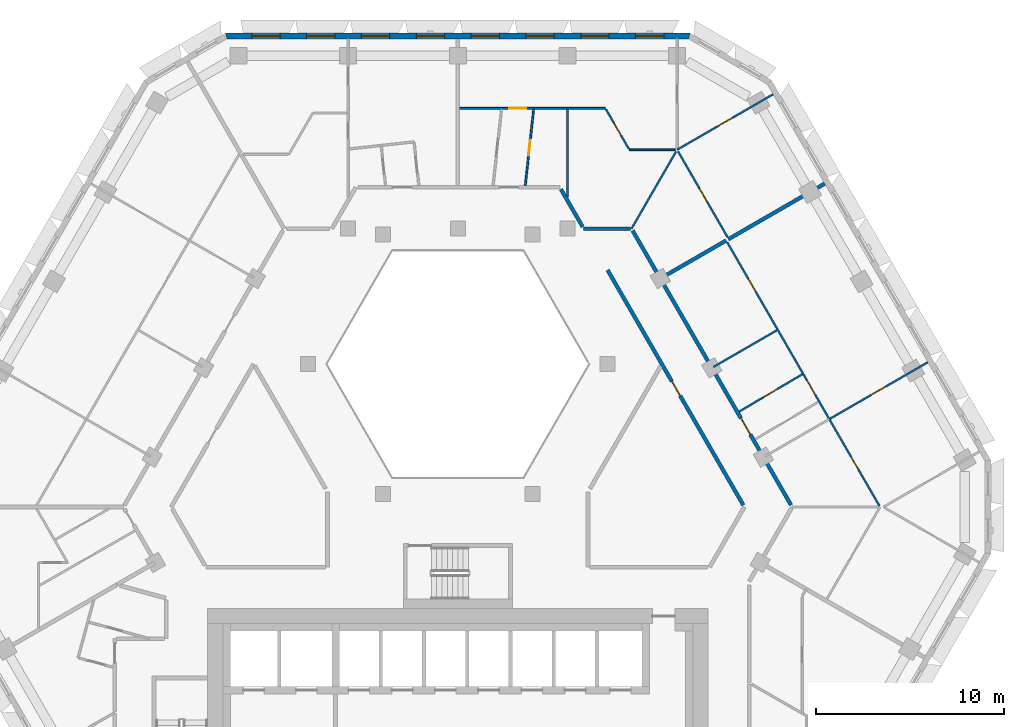
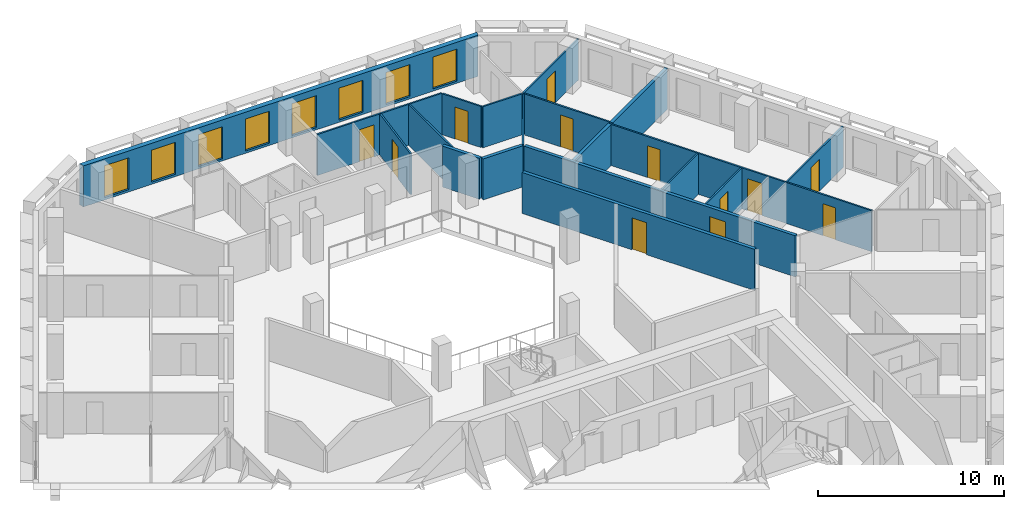
# One storey, part 9 of 18: 19 walls, 12 doors, 8 windows, 20 openings.
"""IFC4 building model written with IfcOpenShell, lengths in metres."""

from ifc_helpers import new_model, si_unit, direction, frame, frame_2d, origin, place, context, subcontext, project, spatial, polyline, rectangle, outline, extrude, material, layer, layer_set, type_object, element, fill, save


model = new_model("IFC4")

# Units and contexts
model_context = context("Model", 3, precision=1e-05, world=origin(), true_north=direction((0.0, 1.0)))
body_context = subcontext(model_context, "Body", "Model", "MODEL_VIEW")
ifc_project = project(units=[si_unit("LENGTHUNIT", "METRE"), si_unit("AREAUNIT", "SQUARE_METRE"), si_unit("VOLUMEUNIT", "CUBIC_METRE"), si_unit("PLANEANGLEUNIT", "RADIAN"), si_unit("MASSUNIT", "GRAM", prefix="KILO")], contexts=[model_context])

# Site, building, storey
site_placement = place(None, origin())
site = spatial("IfcSite", under=ifc_project, at=site_placement, CompositionType="ELEMENT")
building_placement = place(site_placement, origin())
building = spatial("IfcBuilding", under=site, at=building_placement, Name="Beryl Residences", CompositionType="ELEMENT")
storey_placement = place(building_placement, frame((0.0, 0.0, 138.60009765625)))
storey = spatial("IfcBuildingStorey", under=building, at=storey_placement, Name="L42", CompositionType="ELEMENT", Elevation=138.60009765625)

# Wall, openings, windows
ifc_material_1 = material(Name="Composite metal panel with mineral wool insulation")
ifc_layer_1 = layer(ifc_material_1, 0.300048828125)
ifc_layer_set_1 = layer_set([ifc_layer_1], Name="ES1 pale metal composite panel wall 300 mm")
wall_type_1 = type_object("IfcWallType", Name="ES1 pale metal composite panel wall 300 mm", PredefinedType="SOLIDWALL", material=ifc_layer_set_1)
wall_1_placement = place(storey_placement, frame((12.35498046875, 25.449951171875, 0.0), z_axis=(0.0, 0.0, 1.0), x_axis=(-1.0, 0.0, 0.0)))
wall_1 = element("IfcWall", 1, at=wall_1_placement, inside=storey, type_object=wall_type_1, Name="ES1 external wall L42 N", PredefinedType="SOLIDWALL", context=body_context, shape_type="SweptSolid", body=[
    extrude(outline(polyline([(0.0, -0.14990234375), (24.7099609375, -0.14990234375), (24.629638671875, 0.14990234375), (0.080322265625, 0.14990234375), (0.0, -0.14990234375)])), origin(), (0.0, 0.0, 1.0), 2.699951171875),
])
opening_1_placement = place(wall_1_placement, frame((1.40087890625, 0.0, 0.14990234375)))
opening_1 = element("IfcOpeningElement", 2, at=opening_1_placement, cuts=wall_1, Name="Opening W1", PredefinedType="OPENING", context=body_context, shape_type="SweptSolid", body=[
    extrude(rectangle(XDim=1.5, YDim=2.10009765625, at=frame_2d((0.75, 1.050048828125))), frame((0.0, 0.159912109375, 0.0), z_axis=(0.0, -1.0, 0.0), x_axis=(1.0, 0.0, 0.0)), (0.0, 0.0, 1.0), 0.320068359375),
])
opening_2_placement = place(wall_1_placement, frame((4.31591796875, 0.0, 0.14990234375)))
opening_2 = element("IfcOpeningElement", 3, at=opening_2_placement, cuts=wall_1, Name="Opening W1", PredefinedType="OPENING", context=body_context, shape_type="SweptSolid", body=[
    extrude(rectangle(XDim=1.5, YDim=2.10009765625, at=frame_2d((0.75, 1.050048828125))), frame((0.0, 0.159912109375, 0.0), z_axis=(0.0, -1.0, 0.0), x_axis=(1.0, 0.0, 0.0)), (0.0, 0.0, 1.0), 0.320068359375),
])
opening_3_placement = place(wall_1_placement, frame((7.23193359375, 0.0, 0.14990234375)))
opening_3 = element("IfcOpeningElement", 4, at=opening_3_placement, cuts=wall_1, Name="Opening W1", PredefinedType="OPENING", context=body_context, shape_type="SweptSolid", body=[
    extrude(rectangle(XDim=1.5, YDim=2.10009765625, at=frame_2d((0.75, 1.050048828125))), frame((0.0, 0.159912109375, 0.0), z_axis=(0.0, -1.0, 0.0), x_axis=(1.0, 0.0, 0.0)), (0.0, 0.0, 1.0), 0.320068359375),
])
opening_4_placement = place(wall_1_placement, frame((10.14697265625, 0.0, 0.14990234375)))
opening_4 = element("IfcOpeningElement", 5, at=opening_4_placement, cuts=wall_1, Name="Opening W1", PredefinedType="OPENING", context=body_context, shape_type="SweptSolid", body=[
    extrude(rectangle(XDim=1.5, YDim=2.10009765625, at=frame_2d((0.75, 1.050048828125))), frame((0.0, 0.159912109375, 0.0), z_axis=(0.0, -1.0, 0.0), x_axis=(1.0, 0.0, 0.0)), (0.0, 0.0, 1.0), 0.320068359375),
])
opening_5_placement = place(wall_1_placement, frame((13.06298828125, 0.0, 0.14990234375)))
opening_5 = element("IfcOpeningElement", 6, at=opening_5_placement, cuts=wall_1, Name="Opening W1", PredefinedType="OPENING", context=body_context, shape_type="SweptSolid", body=[
    extrude(rectangle(XDim=1.5, YDim=2.10009765625, at=frame_2d((0.75, 1.050048828125))), frame((0.0, 0.159912109375, 0.0), z_axis=(0.0, -1.0, 0.0), x_axis=(1.0, 0.0, 0.0)), (0.0, 0.0, 1.0), 0.320068359375),
])
opening_6_placement = place(wall_1_placement, frame((15.97802734375, 0.0, 0.14990234375)))
opening_6 = element("IfcOpeningElement", 7, at=opening_6_placement, cuts=wall_1, Name="Opening W1", PredefinedType="OPENING", context=body_context, shape_type="SweptSolid", body=[
    extrude(rectangle(XDim=1.5, YDim=2.10009765625, at=frame_2d((0.75, 1.050048828125))), frame((0.0, 0.159912109375, 0.0), z_axis=(0.0, -1.0, 0.0), x_axis=(1.0, 0.0, 0.0)), (0.0, 0.0, 1.0), 0.320068359375),
])
opening_7_placement = place(wall_1_placement, frame((18.89404296875, 0.0, 0.14990234375)))
opening_7 = element("IfcOpeningElement", 8, at=opening_7_placement, cuts=wall_1, Name="Opening W1", PredefinedType="OPENING", context=body_context, shape_type="SweptSolid", body=[
    extrude(rectangle(XDim=1.5, YDim=2.10009765625, at=frame_2d((0.75, 1.050048828125))), frame((0.0, 0.159912109375, 0.0), z_axis=(0.0, -1.0, 0.0), x_axis=(1.0, 0.0, 0.0)), (0.0, 0.0, 1.0), 0.320068359375),
])
opening_8_placement = place(wall_1_placement, frame((21.80908203125, 0.0, 0.14990234375)))
opening_8 = element("IfcOpeningElement", 9, at=opening_8_placement, cuts=wall_1, Name="Opening W1", PredefinedType="OPENING", context=body_context, shape_type="SweptSolid", body=[
    extrude(rectangle(XDim=1.5, YDim=2.10009765625, at=frame_2d((0.75, 1.050048828125))), frame((0.0, 0.159912109375, 0.0), z_axis=(0.0, -1.0, 0.0), x_axis=(1.0, 0.0, 0.0)), (0.0, 0.0, 1.0), 0.320068359375),
])
ifc_material_2 = material(Name="Aluminium and clear glass", Category="aluminium")
window_type = type_object("IfcWindowType", Name="W1 cell window 1500 x 2100 mm", PartitioningType="SINGLE_PANEL", PredefinedType="WINDOW", material=ifc_material_2)
window_1_placement = place(opening_1_placement, origin())
window_1 = element("IfcWindow", 10, at=window_1_placement, inside=storey, type_object=window_type, Name="W1 window L42 N 1", OverallHeight=2.10009765625, OverallWidth=1.5, PartitioningType="SINGLE_PANEL", PredefinedType="WINDOW", context=body_context, shape_type="SweptSolid", body=[
    extrude(rectangle(XDim=1.5, YDim=2.10009765625, at=frame_2d((0.75, 1.050048828125))), frame((0.0, 0.030029296875, 0.0), z_axis=(0.0, -1.0, 0.0), x_axis=(1.0, 0.0, 0.0)), (0.0, 0.0, 1.0), 0.06005859375),
])
fill(opening_1, window_1)
window_2_placement = place(opening_2_placement, origin())
window_2 = element("IfcWindow", 11, at=window_2_placement, inside=storey, type_object=window_type, Name="W1 window L42 N 2", OverallHeight=2.10009765625, OverallWidth=1.5, PartitioningType="SINGLE_PANEL", PredefinedType="WINDOW", context=body_context, shape_type="SweptSolid", body=[
    extrude(rectangle(XDim=1.5, YDim=2.10009765625, at=frame_2d((0.75, 1.050048828125))), frame((0.0, 0.030029296875, 0.0), z_axis=(0.0, -1.0, 0.0), x_axis=(1.0, 0.0, 0.0)), (0.0, 0.0, 1.0), 0.06005859375),
])
fill(opening_2, window_2)
window_3_placement = place(opening_3_placement, origin())
window_3 = element("IfcWindow", 12, at=window_3_placement, inside=storey, type_object=window_type, Name="W1 window L42 N 3", OverallHeight=2.10009765625, OverallWidth=1.5, PartitioningType="SINGLE_PANEL", PredefinedType="WINDOW", context=body_context, shape_type="SweptSolid", body=[
    extrude(rectangle(XDim=1.5, YDim=2.10009765625, at=frame_2d((0.75, 1.050048828125))), frame((0.0, 0.030029296875, 0.0), z_axis=(0.0, -1.0, 0.0), x_axis=(1.0, 0.0, 0.0)), (0.0, 0.0, 1.0), 0.06005859375),
])
fill(opening_3, window_3)
window_4_placement = place(opening_4_placement, origin())
window_4 = element("IfcWindow", 13, at=window_4_placement, inside=storey, type_object=window_type, Name="W1 window L42 N 4", OverallHeight=2.10009765625, OverallWidth=1.5, PartitioningType="SINGLE_PANEL", PredefinedType="WINDOW", context=body_context, shape_type="SweptSolid", body=[
    extrude(rectangle(XDim=1.5, YDim=2.10009765625, at=frame_2d((0.75, 1.050048828125))), frame((0.0, 0.030029296875, 0.0), z_axis=(0.0, -1.0, 0.0), x_axis=(1.0, 0.0, 0.0)), (0.0, 0.0, 1.0), 0.06005859375),
])
fill(opening_4, window_4)
window_5_placement = place(opening_5_placement, origin())
window_5 = element("IfcWindow", 14, at=window_5_placement, inside=storey, type_object=window_type, Name="W1 window L42 N 5", OverallHeight=2.10009765625, OverallWidth=1.5, PartitioningType="SINGLE_PANEL", PredefinedType="WINDOW", context=body_context, shape_type="SweptSolid", body=[
    extrude(rectangle(XDim=1.5, YDim=2.10009765625, at=frame_2d((0.75, 1.050048828125))), frame((0.0, 0.030029296875, 0.0), z_axis=(0.0, -1.0, 0.0), x_axis=(1.0, 0.0, 0.0)), (0.0, 0.0, 1.0), 0.06005859375),
])
fill(opening_5, window_5)
window_6_placement = place(opening_6_placement, origin())
window_6 = element("IfcWindow", 15, at=window_6_placement, inside=storey, type_object=window_type, Name="W1 window L42 N 6", OverallHeight=2.10009765625, OverallWidth=1.5, PartitioningType="SINGLE_PANEL", PredefinedType="WINDOW", context=body_context, shape_type="SweptSolid", body=[
    extrude(rectangle(XDim=1.5, YDim=2.10009765625, at=frame_2d((0.75, 1.050048828125))), frame((0.0, 0.030029296875, 0.0), z_axis=(0.0, -1.0, 0.0), x_axis=(1.0, 0.0, 0.0)), (0.0, 0.0, 1.0), 0.06005859375),
])
fill(opening_6, window_6)
window_7_placement = place(opening_7_placement, origin())
window_7 = element("IfcWindow", 16, at=window_7_placement, inside=storey, type_object=window_type, Name="W1 window L42 N 7", OverallHeight=2.10009765625, OverallWidth=1.5, PartitioningType="SINGLE_PANEL", PredefinedType="WINDOW", context=body_context, shape_type="SweptSolid", body=[
    extrude(rectangle(XDim=1.5, YDim=2.10009765625, at=frame_2d((0.75, 1.050048828125))), frame((0.0, 0.030029296875, 0.0), z_axis=(0.0, -1.0, 0.0), x_axis=(1.0, 0.0, 0.0)), (0.0, 0.0, 1.0), 0.06005859375),
])
fill(opening_7, window_7)
window_8_placement = place(opening_8_placement, origin())
window_8 = element("IfcWindow", 17, at=window_8_placement, inside=storey, type_object=window_type, Name="W1 window L42 N 8", OverallHeight=2.10009765625, OverallWidth=1.5, PartitioningType="SINGLE_PANEL", PredefinedType="WINDOW", context=body_context, shape_type="SweptSolid", body=[
    extrude(rectangle(XDim=1.5, YDim=2.10009765625, at=frame_2d((0.75, 1.050048828125))), frame((0.0, 0.030029296875, 0.0), z_axis=(0.0, -1.0, 0.0), x_axis=(1.0, 0.0, 0.0)), (0.0, 0.0, 1.0), 0.06005859375),
])
fill(opening_8, window_8)

# Wall, opening, door
ifc_material_3 = material(Name="Gypsum board partition on steel studs", Category="steel")
ifc_layer_2 = layer(ifc_material_3, 0.10009765625)
ifc_layer_set_2 = layer_set([ifc_layer_2], Name="PT1 partition 100 mm gypsum board on steel studs")
wall_type_2 = type_object("IfcWallType", Name="PT1 partition 100 mm gypsum board on steel studs", PredefinedType="PARTITIONING", material=ifc_layer_set_2)
wall_2_placement = place(storey_placement, frame((7.881103515625, 21.550048828125, 0.0), z_axis=(0.0, 0.0, 1.0), x_axis=(0.499821239653, -0.866128586522, 0.0)))
wall_2 = element("IfcWall", 18, at=wall_2_placement, inside=storey, type_object=wall_type_2, Name="Wall PT1 L42 002", PredefinedType="PARTITIONING", context=body_context, shape_type="SweptSolid", body=[
    extrude(rectangle(XDim=2.4248046875, YDim=0.10009765625, at=frame_2d((1.21240234375, 0.0))), origin(), (0.0, 0.0, 1.0), 2.699951171875),
])
opening_9_placement = place(wall_2_placement, frame((0.81201171875, 0.0, 0.0)))
opening_9 = element("IfcOpeningElement", 19, at=opening_9_placement, cuts=wall_2, Name="Opening D1135", PredefinedType="OPENING", context=body_context, shape_type="SweptSolid", body=[
    extrude(rectangle(XDim=0.800048828125, YDim=2.10009765625, at=frame_2d((0.39990234375, 1.050048828125))), frame((0.0, 0.06005859375, 0.0), z_axis=(0.0, -1.0, 0.0), x_axis=(1.0, 0.0, 0.0)), (0.0, 0.0, 1.0), 0.1201171875),
])
ifc_material_4 = material(Name="Timber door leaf", Category="wood")
door_type_1 = type_object("IfcDoorType", Name="D3 bathroom door 800 x 2100 mm", OperationType="SINGLE_SWING_LEFT", PredefinedType="DOOR", material=ifc_material_4)
door_1_placement = place(opening_9_placement, origin())
door_1 = element("IfcDoor", 20, at=door_1_placement, inside=storey, type_object=door_type_1, Name="Door D1135 L42 001", OperationType="SINGLE_SWING_LEFT", OverallHeight=2.10009765625, OverallWidth=0.800048828125, PredefinedType="DOOR", context=body_context, shape_type="SweptSolid", body=[
    extrude(rectangle(XDim=0.800048828125, YDim=2.10009765625, at=frame_2d((0.39990234375, 1.050048828125))), frame((0.0, 0.02490234375, 0.0), z_axis=(0.0, -1.0, 0.0), x_axis=(1.0, 0.0, 0.0)), (0.0, 0.0, 1.0), 0.050048828125),
])
fill(opening_9, door_1)

# Wall, openings, doors
wall_3_placement = place(storey_placement, frame((14.322998046875, 14.487060546875, 0.0), z_axis=(0.0, 0.0, 1.0), x_axis=(0.500011052545, -0.866019022501, 0.0)))
wall_3 = element("IfcWall", 21, at=wall_3_placement, inside=storey, type_object=wall_type_2, Name="Wall PT1 L42 003", PredefinedType="PARTITIONING", context=body_context, shape_type="SweptSolid", body=[
    extrude(rectangle(XDim=16.207763671875, YDim=0.10009765625, at=frame_2d((8.10400390625, 0.0))), origin(), (0.0, 0.0, 1.0), 2.699951171875),
])
opening_10_placement = place(wall_3_placement, frame((8.48388671875, 0.0, 0.0)))
opening_10 = element("IfcOpeningElement", 22, at=opening_10_placement, cuts=wall_3, Name="Opening D1123", PredefinedType="OPENING", context=body_context, shape_type="SweptSolid", body=[
    extrude(rectangle(XDim=0.89990234375, YDim=2.10009765625, at=frame_2d((0.449951171875, 1.050048828125))), frame((0.0, 0.06005859375, 0.0), z_axis=(0.0, -1.0, 0.0), x_axis=(1.0, 0.0, 0.0)), (0.0, 0.0, 1.0), 0.1201171875),
])
opening_11_placement = place(wall_3_placement, frame((2.251953125, 0.0, 0.0)))
opening_11 = element("IfcOpeningElement", 23, at=opening_11_placement, cuts=wall_3, Name="Opening D1125", PredefinedType="OPENING", context=body_context, shape_type="SweptSolid", body=[
    extrude(rectangle(XDim=0.800048828125, YDim=2.10009765625, at=frame_2d((0.39990234375, 1.050048828125))), frame((0.0, 0.06005859375, 0.0), z_axis=(0.0, -1.0, 0.0), x_axis=(1.0, 0.0, 0.0)), (0.0, 0.0, 1.0), 0.1201171875),
])
opening_12_placement = place(wall_3_placement, frame((13.1669921875, 0.0, 0.0)))
opening_12 = element("IfcOpeningElement", 24, at=opening_12_placement, cuts=wall_3, Name="Opening D1127", PredefinedType="OPENING", context=body_context, shape_type="SweptSolid", body=[
    extrude(rectangle(XDim=0.800048828125, YDim=2.10009765625, at=frame_2d((0.39990234375, 1.050048828125))), frame((0.0, 0.06005859375, 0.0), z_axis=(0.0, -1.0, 0.0), x_axis=(1.0, 0.0, 0.0)), (0.0, 0.0, 1.0), 0.1201171875),
])
ifc_material_5 = material(Name="Timber door leaf", Category="wood")
door_type_2 = type_object("IfcDoorType", Name="D2 room door 900 x 2100 mm", OperationType="SINGLE_SWING_LEFT", PredefinedType="DOOR", material=ifc_material_5)
door_2_placement = place(opening_10_placement, origin())
door_2 = element("IfcDoor", 25, at=door_2_placement, inside=storey, type_object=door_type_2, Name="Door D1123 L42 001", OperationType="SINGLE_SWING_LEFT", OverallHeight=2.10009765625, OverallWidth=0.89990234375, PredefinedType="DOOR", context=body_context, shape_type="SweptSolid", body=[
    extrude(rectangle(XDim=0.89990234375, YDim=2.10009765625, at=frame_2d((0.449951171875, 1.050048828125))), frame((0.0, 0.02490234375, 0.0), z_axis=(0.0, -1.0, 0.0), x_axis=(1.0, 0.0, 0.0)), (0.0, 0.0, 1.0), 0.050048828125),
])
fill(opening_10, door_2)
door_3_placement = place(opening_11_placement, origin())
door_3 = element("IfcDoor", 26, at=door_3_placement, inside=storey, type_object=door_type_1, Name="Door D1125 L42 001", OperationType="SINGLE_SWING_LEFT", OverallHeight=2.10009765625, OverallWidth=0.800048828125, PredefinedType="DOOR", context=body_context, shape_type="SweptSolid", body=[
    extrude(rectangle(XDim=0.800048828125, YDim=2.10009765625, at=frame_2d((0.39990234375, 1.050048828125))), frame((0.0, 0.02490234375, 0.0), z_axis=(0.0, -1.0, 0.0), x_axis=(1.0, 0.0, 0.0)), (0.0, 0.0, 1.0), 0.050048828125),
])
fill(opening_11, door_3)
door_4_placement = place(opening_12_placement, origin())
door_4 = element("IfcDoor", 27, at=door_4_placement, inside=storey, type_object=door_type_1, Name="Door D1127 L42 001", OperationType="SINGLE_SWING_LEFT", OverallHeight=2.10009765625, OverallWidth=0.800048828125, PredefinedType="DOOR", context=body_context, shape_type="SweptSolid", body=[
    extrude(rectangle(XDim=0.800048828125, YDim=2.10009765625, at=frame_2d((0.39990234375, 1.050048828125))), frame((0.0, 0.02490234375, 0.0), z_axis=(0.0, -1.0, 0.0), x_axis=(1.0, 0.0, 0.0)), (0.0, 0.0, 1.0), 0.050048828125),
])
fill(opening_12, door_4)

# Wall, opening, door
wall_4_placement = place(storey_placement, frame((11.712890625, 19.31298828125, 0.0), z_axis=(0.0, 0.0, 1.0), x_axis=(0.499945064984, -0.866057118208, 0.0)))
wall_4 = element("IfcWall", 28, at=wall_4_placement, inside=storey, type_object=wall_type_2, Name="Wall PT1 L42 004", PredefinedType="PARTITIONING", context=body_context, shape_type="SweptSolid", body=[
    extrude(rectangle(XDim=5.28466796875, YDim=0.10009765625, at=frame_2d((2.642333984375, 0.0))), origin(), (0.0, 0.0, 1.0), 2.699951171875),
])
opening_13_placement = place(wall_4_placement, frame((2.241943359375, 0.0, 0.0)))
opening_13 = element("IfcOpeningElement", 29, at=opening_13_placement, cuts=wall_4, Name="Opening D1137", PredefinedType="OPENING", context=body_context, shape_type="SweptSolid", body=[
    extrude(rectangle(XDim=0.800048828125, YDim=2.10009765625, at=frame_2d((0.39990234375, 1.050048828125))), frame((0.0, 0.06005859375, 0.0), z_axis=(0.0, -1.0, 0.0), x_axis=(1.0, 0.0, 0.0)), (0.0, 0.0, 1.0), 0.1201171875),
])
door_5_placement = place(opening_13_placement, origin())
door_5 = element("IfcDoor", 30, at=door_5_placement, inside=storey, type_object=door_type_1, Name="Door D1137 L42 001", OperationType="SINGLE_SWING_LEFT", OverallHeight=2.10009765625, OverallWidth=0.800048828125, PredefinedType="DOOR", context=body_context, shape_type="SweptSolid", body=[
    extrude(rectangle(XDim=0.800048828125, YDim=2.10009765625, at=frame_2d((0.39990234375, 1.050048828125))), frame((0.0, 0.02490234375, 0.0), z_axis=(0.0, -1.0, 0.0), x_axis=(1.0, 0.0, 0.0)), (0.0, 0.0, 1.0), 0.050048828125),
])
fill(opening_13, door_5)

# Wall
wall_5_placement = place(storey_placement, frame((9.1220703125, 19.39990234375, 0.0), z_axis=(0.0, 0.0, 1.0), x_axis=(1.0, 0.0, 0.0)))
element("IfcWall", 31, at=wall_5_placement, inside=storey, type_object=wall_type_2, Name="Wall PT1 L42 026", PredefinedType="PARTITIONING", context=body_context, shape_type="SweptSolid", body=[
    extrude(rectangle(XDim=2.43994140625, YDim=0.10009765625, at=frame_2d((1.219970703125, 0.0))), origin(), (0.0, 0.0, 1.0), 2.699951171875),
])

# Wall, opening, door
wall_6_placement = place(storey_placement, frame((0.10009765625, 21.60009765625, 0.0), z_axis=(0.0, 0.0, 1.0), x_axis=(1.0, 0.0, 0.0)))
wall_6 = element("IfcWall", 32, at=wall_6_placement, inside=storey, type_object=wall_type_2, Name="Wall PT1 L42 028", PredefinedType="PARTITIONING", context=body_context, shape_type="SweptSolid", body=[
    extrude(rectangle(XDim=7.751953125, YDim=0.10009765625, at=frame_2d((3.8759765625, 0.0))), origin(), (0.0, 0.0, 1.0), 2.699951171875),
])
opening_14_placement = place(wall_6_placement, frame((2.634033203125, 0.0, 0.0)))
opening_14 = element("IfcOpeningElement", 33, at=opening_14_placement, cuts=wall_6, Name="Opening D1133", PredefinedType="OPENING", context=body_context, shape_type="SweptSolid", body=[
    extrude(rectangle(XDim=0.89990234375, YDim=2.10009765625, at=frame_2d((0.449951171875, 1.050048828125))), frame((0.0, 0.06005859375, 0.0), z_axis=(0.0, -1.0, 0.0), x_axis=(1.0, 0.0, 0.0)), (0.0, 0.0, 1.0), 0.1201171875),
])
door_6_placement = place(opening_14_placement, origin())
door_6 = element("IfcDoor", 34, at=door_6_placement, inside=storey, type_object=door_type_2, Name="Door D1133 L42 001", OperationType="SINGLE_SWING_LEFT", OverallHeight=2.10009765625, OverallWidth=0.89990234375, PredefinedType="DOOR", context=body_context, shape_type="SweptSolid", body=[
    extrude(rectangle(XDim=0.89990234375, YDim=2.10009765625, at=frame_2d((0.449951171875, 1.050048828125))), frame((0.0, 0.02490234375, 0.0), z_axis=(0.0, -1.0, 0.0), x_axis=(1.0, 0.0, 0.0)), (0.0, 0.0, 1.0), 0.050048828125),
])
fill(opening_14, door_6)

# Wall
wall_7_placement = place(storey_placement, frame((9.238037109375, 15.199951171875, 0.0), z_axis=(0.0, 0.0, 1.0), x_axis=(0.499988022762, 0.866032318735, 0.0)))
element("IfcWall", 35, at=wall_7_placement, inside=storey, type_object=wall_type_2, Name="Wall PT1 L42 029", PredefinedType="PARTITIONING", context=body_context, shape_type="SweptSolid", body=[
    extrude(rectangle(XDim=4.748046875, YDim=0.10009765625, at=frame_2d((2.3740234375, 0.0))), origin(), (0.0, 0.0, 1.0), 2.699951171875),
])

# Wall, opening, door
wall_8_placement = place(storey_placement, frame((3.590087890625, 17.5, 0.0), z_axis=(0.0, 0.0, 1.0), x_axis=(0.108938463119, 0.994048495423, 0.0)))
wall_8 = element("IfcWall", 36, at=wall_8_placement, inside=storey, type_object=wall_type_2, Name="Wall PT1 L42 036", PredefinedType="PARTITIONING", context=body_context, shape_type="SweptSolid", body=[
    extrude(rectangle(XDim=4.07421875, YDim=0.10009765625, at=frame_2d((2.037109375, 0.0))), origin(), (0.0, 0.0, 1.0), 2.699951171875),
])
opening_15_placement = place(wall_8_placement, frame((1.612060546875, 0.0, 0.0)))
opening_15 = element("IfcOpeningElement", 37, at=opening_15_placement, cuts=wall_8, Name="Opening D1131", PredefinedType="OPENING", context=body_context, shape_type="SweptSolid", body=[
    extrude(rectangle(XDim=0.800048828125, YDim=2.10009765625, at=frame_2d((0.39990234375, 1.050048828125))), frame((0.0, 0.06005859375, 0.0), z_axis=(0.0, -1.0, 0.0), x_axis=(1.0, 0.0, 0.0)), (0.0, 0.0, 1.0), 0.1201171875),
])
door_7_placement = place(opening_15_placement, origin())
door_7 = element("IfcDoor", 38, at=door_7_placement, inside=storey, type_object=door_type_1, Name="Door D1131 L42 001", OperationType="SINGLE_SWING_LEFT", OverallHeight=2.10009765625, OverallWidth=0.800048828125, PredefinedType="DOOR", context=body_context, shape_type="SweptSolid", body=[
    extrude(rectangle(XDim=0.800048828125, YDim=2.10009765625, at=frame_2d((0.39990234375, 1.050048828125))), frame((0.0, 0.02490234375, 0.0), z_axis=(0.0, -1.0, 0.0), x_axis=(1.0, 0.0, 0.0)), (0.0, 0.0, 1.0), 0.050048828125),
])
fill(opening_15, door_7)

# Walls
wall_9_placement = place(storey_placement, frame((5.8310546875, 16.89990234375, 0.0), z_axis=(0.0, 0.0, 1.0), x_axis=(0.0, 1.0, 0.0)))
element("IfcWall", 39, at=wall_9_placement, inside=storey, type_object=wall_type_2, Name="Wall PT1 L42 039", PredefinedType="PARTITIONING", context=body_context, shape_type="SweptSolid", body=[
    extrude(rectangle(XDim=4.650146484375, YDim=0.10009765625, at=frame_2d((2.3251953125, 0.0))), origin(), (0.0, 0.0, 1.0), 2.699951171875),
])
wall_10_placement = place(storey_placement, frame((13.596923828125, 7.85009765625, 0.0), z_axis=(0.0, 0.0, 1.0), x_axis=(0.865979019114, 0.500080332001, 0.0)))
element("IfcWall", 40, at=wall_10_placement, inside=storey, type_object=wall_type_2, Name="Wall PT1 L42 053", PredefinedType="PARTITIONING", context=body_context, shape_type="SweptSolid", body=[
    extrude(rectangle(XDim=3.897216796875, YDim=0.10009765625, at=frame_2d((1.94873046875, 0.0))), origin(), (0.0, 0.0, 1.0), 2.699951171875),
])

# Wall, opening, door
wall_11_placement = place(storey_placement, frame((11.6630859375, 19.39990234375, 0.0), z_axis=(0.0, 0.0, 1.0), x_axis=(0.865941558533, 0.500145196124, 0.0)))
wall_11 = element("IfcWall", 41, at=wall_11_placement, inside=storey, type_object=wall_type_2, Name="Wall PT1 L42 056", PredefinedType="PARTITIONING", context=body_context, shape_type="SweptSolid", body=[
    extrude(rectangle(XDim=5.898681640625, YDim=0.10009765625, at=frame_2d((2.94921875, 0.0))), origin(), (0.0, 0.0, 1.0), 2.699951171875),
])
opening_16_placement = place(wall_11_placement, frame((2.4990234375, 0.0, 0.0)))
opening_16 = element("IfcOpeningElement", 42, at=opening_16_placement, cuts=wall_11, Name="Opening D1136", PredefinedType="OPENING", context=body_context, shape_type="SweptSolid", body=[
    extrude(rectangle(XDim=0.89990234375, YDim=2.10009765625, at=frame_2d((0.449951171875, 1.050048828125))), frame((0.0, 0.06005859375, 0.0), z_axis=(0.0, -1.0, 0.0), x_axis=(1.0, 0.0, 0.0)), (0.0, 0.0, 1.0), 0.1201171875),
])
door_8_placement = place(opening_16_placement, origin())
door_8 = element("IfcDoor", 43, at=door_8_placement, inside=storey, type_object=door_type_2, Name="Door D1136 L42 001", OperationType="SINGLE_SWING_RIGHT", OverallHeight=2.10009765625, OverallWidth=0.89990234375, PredefinedType="DOOR", context=body_context, shape_type="SweptSolid", body=[
    extrude(rectangle(XDim=0.89990234375, YDim=2.10009765625, at=frame_2d((0.449951171875, 1.050048828125))), frame((0.0, 0.02490234375, 0.0), z_axis=(0.0, -1.0, 0.0), x_axis=(1.0, 0.0, 0.0)), (0.0, 0.0, 1.0), 0.050048828125),
])
fill(opening_16, door_8)

wall_12_placement = place(storey_placement, frame((14.968017578125, 5.47509765625, 0.0), z_axis=(0.0, 0.0, 1.0), x_axis=(0.860594613521, 0.509290596005, 0.0)))
wall_12 = element("IfcWall", 44, at=wall_12_placement, inside=storey, type_object=wall_type_2, Name="Wall PT1 L42 058", PredefinedType="PARTITIONING", context=body_context, shape_type="SweptSolid", body=[
    extrude(rectangle(XDim=3.897216796875, YDim=0.10009765625, at=frame_2d((1.94873046875, 0.0))), origin(), (0.0, 0.0, 1.0), 2.699951171875),
])
opening_17_placement = place(wall_12_placement, frame((1.47412109375, 0.0, 0.0)))
opening_17 = element("IfcOpeningElement", 45, at=opening_17_placement, cuts=wall_12, Name="Opening D1122", PredefinedType="OPENING", context=body_context, shape_type="SweptSolid", body=[
    extrude(rectangle(XDim=0.89990234375, YDim=2.10009765625, at=frame_2d((0.449951171875, 1.050048828125))), frame((0.0, 0.06005859375, 0.0), z_axis=(0.0, -1.0, 0.0), x_axis=(1.0, 0.0, 0.0)), (0.0, 0.0, 1.0), 0.1201171875),
])
door_9_placement = place(opening_17_placement, origin())
door_9 = element("IfcDoor", 46, at=door_9_placement, inside=storey, type_object=door_type_2, Name="Door D1122 L42 001", OperationType="SINGLE_SWING_RIGHT", OverallHeight=2.10009765625, OverallWidth=0.89990234375, PredefinedType="DOOR", context=body_context, shape_type="SweptSolid", body=[
    extrude(rectangle(XDim=0.89990234375, YDim=2.10009765625, at=frame_2d((0.449951171875, 1.050048828125))), frame((0.0, 0.02490234375, 0.0), z_axis=(0.0, -1.0, 0.0), x_axis=(1.0, 0.0, 0.0)), (0.0, 0.0, 1.0), 0.050048828125),
])
fill(opening_17, door_9)

wall_13_placement = place(storey_placement, frame((19.758056640625, 5.073974609375, 0.0), z_axis=(0.0, 0.0, 1.0), x_axis=(0.866007554612, 0.500030914399, 0.0)))
wall_13 = element("IfcWall", 47, at=wall_13_placement, inside=storey, type_object=wall_type_2, Name="Wall PT1 L42 059", PredefinedType="PARTITIONING", context=body_context, shape_type="SweptSolid", body=[
    extrude(rectangle(XDim=6.0517578125, YDim=0.10009765625, at=frame_2d((3.02587890625, 0.0))), origin(), (0.0, 0.0, 1.0), 2.699951171875),
])
opening_18_placement = place(wall_13_placement, frame((2.575927734375, 0.0, 0.0)))
opening_18 = element("IfcOpeningElement", 48, at=opening_18_placement, cuts=wall_13, Name="Opening D1124", PredefinedType="OPENING", context=body_context, shape_type="SweptSolid", body=[
    extrude(rectangle(XDim=0.89990234375, YDim=2.10009765625, at=frame_2d((0.449951171875, 1.050048828125))), frame((0.0, 0.06005859375, 0.0), z_axis=(0.0, -1.0, 0.0), x_axis=(1.0, 0.0, 0.0)), (0.0, 0.0, 1.0), 0.1201171875),
])
door_10_placement = place(opening_18_placement, origin())
door_10 = element("IfcDoor", 49, at=door_10_placement, inside=storey, type_object=door_type_2, Name="Door D1124 L42 001", OperationType="SINGLE_SWING_RIGHT", OverallHeight=2.10009765625, OverallWidth=0.89990234375, PredefinedType="DOOR", context=body_context, shape_type="SweptSolid", body=[
    extrude(rectangle(XDim=0.89990234375, YDim=2.10009765625, at=frame_2d((0.449951171875, 1.050048828125))), frame((0.0, 0.02490234375, 0.0), z_axis=(0.0, -1.0, 0.0), x_axis=(1.0, 0.0, 0.0)), (0.0, 0.0, 1.0), 0.050048828125),
])
fill(opening_18, door_10)

# Walls
ifc_material_6 = material(Name="Acoustic double stud gypsum board wall")
ifc_layer_3 = layer(ifc_material_6, 0.199951171875)
ifc_layer_set_3 = layer_set([ifc_layer_3], Name="PT3 party wall 200 mm acoustic double stud")
wall_type_3 = type_object("IfcWallType", Name="PT3 party wall 200 mm acoustic double stud", PredefinedType="PARTITIONING", material=ifc_layer_set_3)
wall_14_placement = place(storey_placement, frame((10.85400390625, 12.60009765625, 0.0), z_axis=(0.0, 0.0, 1.0), x_axis=(0.866031112038, 0.499990112884, 0.0)))
element("IfcWall", 50, at=wall_14_placement, inside=storey, type_object=wall_type_3, Name="Wall PT3 L42 011", PredefinedType="PARTITIONING", context=body_context, shape_type="SweptSolid", body=[
    extrude(rectangle(XDim=3.94775390625, YDim=0.199951171875, at=frame_2d((1.973876953125, 0.0))), origin(), (0.0, 0.0, 1.0), 2.699951171875),
])
wall_15_placement = place(storey_placement, frame((14.387939453125, 14.639892578125, 0.0), z_axis=(0.0, 0.0, 1.0), x_axis=(0.866044090212, 0.499967632761, 0.0)))
element("IfcWall", 51, at=wall_15_placement, inside=storey, type_object=wall_type_3, Name="Wall PT3 L42 012", PredefinedType="PARTITIONING", context=body_context, shape_type="SweptSolid", body=[
    extrude(rectangle(XDim=5.9189453125, YDim=0.199951171875, at=frame_2d((2.95947265625, 0.0))), origin(), (0.0, 0.0, 1.0), 2.699951171875),
])
ifc_material_7 = material(Name="Double stud gypsum board wall")
ifc_layer_4 = layer(ifc_material_7, 0.199951171875)
ifc_layer_set_4 = layer_set([ifc_layer_4], Name="PT4 corridor wall 200 mm double stud")
wall_type_4 = type_object("IfcWallType", Name="PT4 corridor wall 200 mm double stud", PredefinedType="PARTITIONING", material=ifc_layer_set_4)
wall_16_placement = place(storey_placement, frame((5.485107421875, 17.300048828125, 0.0), z_axis=(0.0, 0.0, 1.0), x_axis=(0.500027479704, -0.866009537788, 0.0)))
element("IfcWall", 52, at=wall_16_placement, inside=storey, type_object=wall_type_4, Name="Wall PT4 L42 004", PredefinedType="PARTITIONING", context=body_context, shape_type="SweptSolid", body=[
    extrude(rectangle(XDim=2.309326171875, YDim=0.199951171875, at=frame_2d((1.15478515625, 0.0))), origin(), (0.0, 0.0, 1.0), 2.699951171875),
])

# Wall, opening, door
wall_17_placement = place(storey_placement, frame((7.967041015625, 13.0, 0.0), z_axis=(0.0, 0.0, 1.0), x_axis=(0.50003774998, -0.866003607726, 0.0)))
wall_17 = element("IfcWall", 53, at=wall_17_placement, inside=storey, type_object=wall_type_4, Name="Wall PT4 L42 005", PredefinedType="PARTITIONING", context=body_context, shape_type="SweptSolid", body=[
    extrude(rectangle(XDim=14.43310546875, YDim=0.199951171875, at=frame_2d((7.216552734375, 0.0))), origin(), (0.0, 0.0, 1.0), 2.699951171875),
])
opening_19_placement = place(wall_17_placement, frame((6.823974609375, 0.0, 0.0)))
opening_19 = element("IfcOpeningElement", 54, at=opening_19_placement, cuts=wall_17, Name="Opening D1155", PredefinedType="OPENING", context=body_context, shape_type="SweptSolid", body=[
    extrude(rectangle(XDim=0.89990234375, YDim=2.10009765625, at=frame_2d((0.449951171875, 1.050048828125))), frame((0.0, 0.10986328125, 0.0), z_axis=(0.0, -1.0, 0.0), x_axis=(1.0, 0.0, 0.0)), (0.0, 0.0, 1.0), 0.219970703125),
])
door_11_placement = place(opening_19_placement, origin())
door_11 = element("IfcDoor", 55, at=door_11_placement, inside=storey, type_object=door_type_2, Name="Door D1155 L42 001", OperationType="SINGLE_SWING_LEFT", OverallHeight=2.10009765625, OverallWidth=0.89990234375, PredefinedType="DOOR", context=body_context, shape_type="SweptSolid", body=[
    extrude(rectangle(XDim=0.89990234375, YDim=2.10009765625, at=frame_2d((0.449951171875, 1.050048828125))), frame((0.0, 0.02490234375, 0.0), z_axis=(0.0, -1.0, 0.0), x_axis=(1.0, 0.0, 0.0)), (0.0, 0.0, 1.0), 0.050048828125),
])
fill(opening_19, door_11)

wall_18_placement = place(storey_placement, frame((9.2958984375, 15.10009765625, 0.0), z_axis=(0.0, 0.0, 1.0), x_axis=(0.499974024244, -0.866040400375, 0.0)))
wall_18 = element("IfcWall", 56, at=wall_18_placement, inside=storey, type_object=wall_type_4, Name="Wall PT4 L42 006", PredefinedType="PARTITIONING", context=body_context, shape_type="SweptSolid", body=[
    extrude(rectangle(XDim=16.857421875, YDim=0.199951171875, at=frame_2d((8.4287109375, 0.0))), origin(), (0.0, 0.0, 1.0), 2.699951171875),
])
opening_20_placement = place(wall_18_placement, frame((11.52197265625, 0.0, 0.0)))
opening_20 = element("IfcOpeningElement", 57, at=opening_20_placement, cuts=wall_18, Name="Opening D1120", PredefinedType="OPENING", context=body_context, shape_type="SweptSolid", body=[
    extrude(rectangle(XDim=1.0, YDim=2.10009765625, at=frame_2d((0.5, 1.050048828125))), frame((0.0, 0.10986328125, 0.0), z_axis=(0.0, -1.0, 0.0), x_axis=(1.0, 0.0, 0.0)), (0.0, 0.0, 1.0), 0.219970703125),
])
ifc_material_8 = material(Name="Timber door leaf", Category="wood")
door_type_3 = type_object("IfcDoorType", Name="D1 flat entrance door 1000 x 2100 mm", OperationType="SINGLE_SWING_LEFT", PredefinedType="DOOR", material=ifc_material_8)
door_12_placement = place(opening_20_placement, origin())
door_12 = element("IfcDoor", 58, at=door_12_placement, inside=storey, type_object=door_type_3, Name="Door D1120 L42 001", OperationType="SINGLE_SWING_RIGHT", OverallHeight=2.10009765625, OverallWidth=1.0, PredefinedType="DOOR", context=body_context, shape_type="SweptSolid", body=[
    extrude(rectangle(XDim=1.0, YDim=2.10009765625, at=frame_2d((0.5, 1.050048828125))), frame((0.0, 0.02490234375, 0.0), z_axis=(0.0, -1.0, 0.0), x_axis=(1.0, 0.0, 0.0)), (0.0, 0.0, 1.0), 0.050048828125),
])
fill(opening_20, door_12)

# Wall
wall_19_placement = place(storey_placement, frame((6.697021484375, 15.199951171875, 0.0), z_axis=(0.0, 0.0, 1.0), x_axis=(1.0, 0.0, 0.0)))
element("IfcWall", 59, at=wall_19_placement, inside=storey, type_object=wall_type_4, Name="Wall PT4 L42 016", PredefinedType="PARTITIONING", context=body_context, shape_type="SweptSolid", body=[
    extrude(rectangle(XDim=2.48291015625, YDim=0.199951171875, at=frame_2d((1.241455078125, 0.0))), origin(), (0.0, 0.0, 1.0), 2.699951171875),
])

save(model, "model.ifc")
